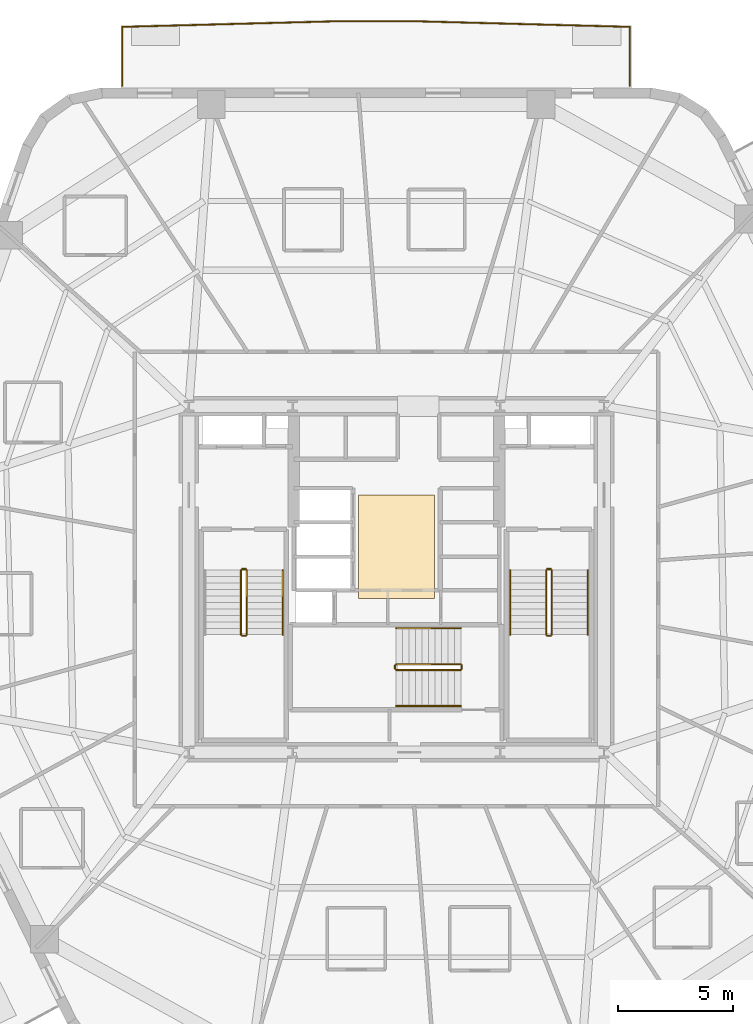
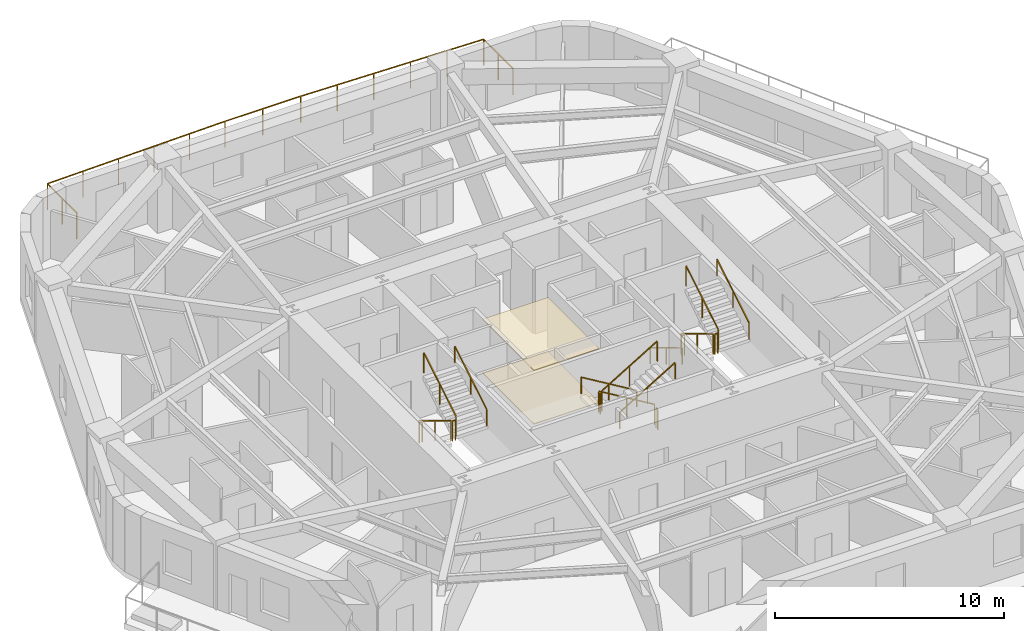
# One storey, part 9 of 10: 18 railings, 2 coverings.
"""IFC4 building model written with IfcOpenShell, lengths in metres."""

from ifc_helpers import new_model, si_unit, direction, frame, origin, origin_2d, place, context, subcontext, project, spatial, polyline, rectangle, outline, extrude, material, layer, layer_set, type_object, element, save


model = new_model("IFC4")

# Units and contexts
model_context = context("Model", 3, precision=1e-05, world=origin(), true_north=direction((0.0, 1.0)))
body_context = subcontext(model_context, "Body", "Model", "MODEL_VIEW")
ifc_project = project(units=[si_unit("LENGTHUNIT", "METRE"), si_unit("AREAUNIT", "SQUARE_METRE"), si_unit("VOLUMEUNIT", "CUBIC_METRE"), si_unit("PLANEANGLEUNIT", "RADIAN"), si_unit("MASSUNIT", "GRAM", prefix="KILO")], contexts=[model_context])

# Site, building, storey
site_placement = place(None, origin())
site = spatial("IfcSite", under=ifc_project, at=site_placement, CompositionType="ELEMENT")
building_placement = place(site_placement, origin())
building = spatial("IfcBuilding", under=site, at=building_placement, Name="Kilnhurst Terrace Hotel", CompositionType="ELEMENT")
storey_placement = place(building_placement, frame((0.0, 0.0, 98.800048828125)))
storey = spatial("IfcBuildingStorey", under=building, at=storey_placement, Name="L23", CompositionType="ELEMENT", Elevation=98.800048828125)

# Coverings
ifc_material_1 = material(Name="Perforated Micro-Acoustic Gypsum and Mineral Wool Ceiling")
ifc_layer_1 = layer(ifc_material_1, 0.050048828125, Name="Perforated Micro-Acoustic Gypsum and Mineral Wool Ceiling")
ifc_layer_set_1 = layer_set([ifc_layer_1], Name="Perforated Micro-Acoustic Gypsum and Mineral Wool Ceiling")
covering_type_1 = type_object("IfcCoveringType", Name="COV-CLG-AC60", PredefinedType="CEILING", material=ifc_layer_set_1)
covering_1_placement = place(storey_placement, frame((0.0, 0.0, 2.849853515625)))
element("IfcCovering", 1, at=covering_1_placement, inside=storey, type_object=covering_type_1, Name="L23 Lift Lobby Suspended Acoustic Ceiling", PredefinedType="CEILING", context=body_context, shape_type="SweptSolid", body=[
    extrude(outline(polyline([(-1.64990234375, -0.85009765625), (1.64990234375, -0.85009765625), (1.64990234375, 3.64990234375), (-1.64990234375, 3.64990234375), (-1.64990234375, -0.85009765625)])), origin(), (0.0, 0.0, 1.0), 0.050048828125),
])
ifc_material_2 = material(Name="Honed Texas Cream Limestone Tile Flooring", Category="masonry")
ifc_layer_2 = layer(ifc_material_2, 0.030029296875, Name="Honed Texas Cream Limestone Tile Flooring")
ifc_layer_set_2 = layer_set([ifc_layer_2], Name="Honed Texas Cream Limestone Tile Flooring")
covering_type_2 = type_object("IfcCoveringType", Name="COV-FLR-STN30", PredefinedType="FLOORING", material=ifc_layer_set_2)
covering_2_placement = place(storey_placement, origin())
element("IfcCovering", 2, at=covering_2_placement, inside=storey, type_object=covering_type_2, Name="L23 Lift Lobby Honed Limestone Flooring", PredefinedType="FLOORING", context=body_context, shape_type="SweptSolid", body=[
    extrude(outline(polyline([(-1.64990234375, -0.85009765625), (1.64990234375, -0.85009765625), (1.64990234375, 3.64990234375), (-1.64990234375, 3.64990234375), (-1.64990234375, -0.85009765625)])), origin(), (0.0, 0.0, 1.0), 0.030029296875),
])

# Railings
ifc_material_3 = material(Name="Laminated SentryGlas and Stainless Steel AISI 316L Balustrade", Category="steel")
ifc_layer_3 = layer(ifc_material_3, 0.070068359375, Name="Laminated SentryGlas and Stainless Steel AISI 316L Balustrade")
ifc_layer_set_3 = layer_set([ifc_layer_3], Name="Laminated SentryGlas and Stainless Steel AISI 316L Balustrade")
railing_type_1 = type_object("IfcRailingType", Name="RLG-BAL-1420", PredefinedType="BALUSTRADE", material=ifc_layer_set_3)
railing_1_placement = place(storey_placement, frame((-11.8837890625, 21.3798828125, 0.0)))
element("IfcRailing", 3, at=railing_1_placement, inside=storey, type_object=railing_type_1, Name="L23 Exterior Terrace Guardrail BAL-L1B.1", PredefinedType="BALUSTRADE", context=body_context, shape_type="SweptSolid", body=[
    extrude(rectangle(XDim=0.048095703125, YDim=0.048095703125, at=origin_2d()), frame((0.0, 0.0, 1.39599609375), z_axis=(0.0, 1.0, 0.0), x_axis=(-1.0, 0.0, 0.0)), (0.0, 0.0, 1.0), 2.561767578125),
    extrude(rectangle(XDim=0.048095703125, YDim=0.048095703125, at=origin_2d()), frame((0.0, 2.561767578125, 1.39599609375), z_axis=(0.999657105501, 0.026185328367, 0.0), x_axis=(-0.026185328367, 0.999657105501, 0.0)), (0.0, 0.0, 1.0), 9.099853515625),
    extrude(rectangle(XDim=0.048095703125, YDim=0.048095703125, at=origin_2d()), frame((9.0966796875, 2.800048828125, 1.39599609375), z_axis=(1.0, 0.0, 0.0), x_axis=(0.0, 1.0, 0.0)), (0.0, 0.0, 1.0), 3.8134765625),
    extrude(rectangle(XDim=0.048095703125, YDim=0.048095703125, at=origin_2d()), frame((12.91015625, 2.800048828125, 1.39599609375), z_axis=(0.999657105501, -0.026185328367, 0.0), x_axis=(0.026185328367, 0.999657105501, 0.0)), (0.0, 0.0, 1.0), 9.099853515625),
    extrude(rectangle(XDim=0.048095703125, YDim=0.048095703125, at=origin_2d()), frame((22.0068359375, 2.561767578125, 1.39599609375), z_axis=(0.0, -1.0, 0.0), x_axis=(1.0, 0.0, 0.0)), (0.0, 0.0, 1.0), 2.561767578125),
    extrude(rectangle(XDim=0.0419921875, YDim=0.0419921875, at=origin_2d()), origin(), (0.0, 0.0, 1.0), 1.371826171875),
    extrude(rectangle(XDim=0.0419921875, YDim=0.0419921875, at=origin_2d()), frame((0.0, 1.28076171875, 0.0)), (0.0, 0.0, 1.0), 1.371826171875),
    extrude(rectangle(XDim=0.0419921875, YDim=0.0419921875, at=origin_2d()), frame((0.0, 2.561767578125, 0.0)), (0.0, 0.0, 1.0), 1.371826171875),
    extrude(rectangle(XDim=0.0419921875, YDim=0.0419921875, at=origin_2d()), frame((1.8193359375, 2.609375, 0.0)), (0.0, 0.0, 1.0), 1.371826171875),
    extrude(rectangle(XDim=0.0419921875, YDim=0.0419921875, at=origin_2d()), frame((3.638671875, 2.656982421875, 0.0)), (0.0, 0.0, 1.0), 1.371826171875),
    extrude(rectangle(XDim=0.0419921875, YDim=0.0419921875, at=origin_2d()), frame((5.4580078125, 2.704833984375, 0.0)), (0.0, 0.0, 1.0), 1.371826171875),
    extrude(rectangle(XDim=0.0419921875, YDim=0.0419921875, at=origin_2d()), frame((7.27734375, 2.75244140625, 0.0)), (0.0, 0.0, 1.0), 1.371826171875),
    extrude(rectangle(XDim=0.0419921875, YDim=0.0419921875, at=origin_2d()), frame((9.0966796875, 2.800048828125, 0.0)), (0.0, 0.0, 1.0), 1.371826171875),
    extrude(rectangle(XDim=0.0419921875, YDim=0.0419921875, at=origin_2d()), frame((11.00341796875, 2.800048828125, 0.0)), (0.0, 0.0, 1.0), 1.371826171875),
    extrude(rectangle(XDim=0.0419921875, YDim=0.0419921875, at=origin_2d()), frame((12.91015625, 2.800048828125, 0.0)), (0.0, 0.0, 1.0), 1.371826171875),
    extrude(rectangle(XDim=0.0419921875, YDim=0.0419921875, at=origin_2d()), frame((14.7294921875, 2.75244140625, 0.0)), (0.0, 0.0, 1.0), 1.371826171875),
    extrude(rectangle(XDim=0.0419921875, YDim=0.0419921875, at=origin_2d()), frame((16.548828125, 2.704833984375, 0.0)), (0.0, 0.0, 1.0), 1.371826171875),
    extrude(rectangle(XDim=0.0419921875, YDim=0.0419921875, at=origin_2d()), frame((18.3681640625, 2.656982421875, 0.0)), (0.0, 0.0, 1.0), 1.371826171875),
    extrude(rectangle(XDim=0.0419921875, YDim=0.0419921875, at=origin_2d()), frame((20.1875, 2.609375, 0.0)), (0.0, 0.0, 1.0), 1.371826171875),
    extrude(rectangle(XDim=0.0419921875, YDim=0.0419921875, at=origin_2d()), frame((22.0068359375, 2.561767578125, 0.0)), (0.0, 0.0, 1.0), 1.371826171875),
    extrude(rectangle(XDim=0.0419921875, YDim=0.0419921875, at=origin_2d()), frame((22.0068359375, 1.28076171875, 0.0)), (0.0, 0.0, 1.0), 1.371826171875),
    extrude(rectangle(XDim=0.0419921875, YDim=0.0419921875, at=origin_2d()), frame((22.0068359375, 0.0, 0.0)), (0.0, 0.0, 1.0), 1.371826171875),
])
ifc_material_4 = material(Name="Powder-Coated Steel ASTM A500 Grade B", Category="steel")
ifc_layer_4 = layer(ifc_material_4, 0.050048828125, Name="Powder-Coated Steel ASTM A500 Grade B")
ifc_layer_set_4 = layer_set([ifc_layer_4], Name="Powder-Coated Steel ASTM A500 Grade B")
railing_type_2 = type_object("IfcRailingType", Name="RLG-ST-GRD-1100", PredefinedType="GUARDRAIL", material=ifc_layer_set_4)
railing_2_placement = place(storey_placement, frame((-6.739990234375, 0.389892578125, 0.168212890625)))
element("IfcRailing", 4, at=railing_2_placement, inside=storey, type_object=railing_type_2, Name="L23 ST-1 stair guard 1", PredefinedType="GUARDRAIL", context=body_context, shape_type="SweptSolid", body=[
    extrude(rectangle(XDim=0.048095703125, YDim=0.048095703125, at=origin_2d()), frame((0.0, 0.0, 1.076171875), z_axis=(0.0, -0.857255387014, 0.514891446264), x_axis=(1.0, 0.0, 0.0)), (0.0, 0.0, 1.0), 3.26611328125),
    extrude(rectangle(XDim=0.0419921875, YDim=0.0419921875, at=origin_2d()), origin(), (0.0, 0.0, 1.0), 1.052001953125),
    extrude(rectangle(XDim=0.0419921875, YDim=0.0419921875, at=origin_2d()), frame((0.0, -1.39990234375, 0.8408203125)), (0.0, 0.0, 1.0), 1.052001953125),
    extrude(rectangle(XDim=0.0419921875, YDim=0.0419921875, at=origin_2d()), frame((0.0, -2.7998046875, 1.681640625)), (0.0, 0.0, 1.0), 1.052001953125),
])
railing_3_placement = place(storey_placement, frame((-6.68994140625, -2.4599609375, 1.849853515625)))
element("IfcRailing", 5, at=railing_3_placement, inside=storey, type_object=railing_type_2, Name="L23 ST-1 stair guard 2", PredefinedType="GUARDRAIL", context=body_context, shape_type="SweptSolid", body=[
    extrude(rectangle(XDim=0.048095703125, YDim=0.048095703125, at=origin_2d()), frame((0.0, 0.0, 1.076171875), z_axis=(1.0, 0.0, 0.0), x_axis=(0.0, 1.0, 0.0)), (0.0, 0.0, 1.0), 0.14990234375),
    extrude(rectangle(XDim=0.0419921875, YDim=0.0419921875, at=origin_2d()), origin(), (0.0, 0.0, 1.0), 1.052001953125),
    extrude(rectangle(XDim=0.0419921875, YDim=0.0419921875, at=origin_2d()), frame((0.14990234375, 0.0, 0.0)), (0.0, 0.0, 1.0), 1.052001953125),
])
railing_4_placement = place(storey_placement, frame((-6.489990234375, -2.409912109375, 2.01806640625)))
element("IfcRailing", 6, at=railing_4_placement, inside=storey, type_object=railing_type_2, Name="L23 ST-1 stair guard 3", PredefinedType="GUARDRAIL", context=body_context, shape_type="SweptSolid", body=[
    extrude(rectangle(XDim=0.048095703125, YDim=0.048095703125, at=origin_2d()), frame((0.0, 0.0, 1.076171875), z_axis=(0.0, 0.857222391501, 0.514946377315), x_axis=(-1.0, 0.0, 0.0)), (0.0, 0.0, 1.0), 3.26611328125),
    extrude(rectangle(XDim=0.0419921875, YDim=0.0419921875, at=origin_2d()), origin(), (0.0, 0.0, 1.0), 1.052001953125),
    extrude(rectangle(XDim=0.0419921875, YDim=0.0419921875, at=origin_2d()), frame((0.0, 1.39990234375, 0.8408203125)), (0.0, 0.0, 1.0), 1.052001953125),
    extrude(rectangle(XDim=0.0419921875, YDim=0.0419921875, at=origin_2d()), frame((0.0, 2.7998046875, 1.681884765625)), (0.0, 0.0, 1.0), 1.052001953125),
])
railing_5_placement = place(storey_placement, frame((-6.68994140625, 0.43994140625, 0.0)))
element("IfcRailing", 7, at=railing_5_placement, inside=storey, type_object=railing_type_2, Name="L23 ST-1 stair guard 4", PredefinedType="GUARDRAIL", context=body_context, shape_type="SweptSolid", body=[
    extrude(rectangle(XDim=0.048095703125, YDim=0.048095703125, at=origin_2d()), frame((0.0, 0.0, 1.076171875), z_axis=(1.0, 0.0, 0.0), x_axis=(0.0, 1.0, 0.0)), (0.0, 0.0, 1.0), 0.14990234375),
    extrude(rectangle(XDim=0.0419921875, YDim=0.0419921875, at=origin_2d()), origin(), (0.0, 0.0, 1.0), 1.052001953125),
    extrude(rectangle(XDim=0.0419921875, YDim=0.0419921875, at=origin_2d()), frame((0.14990234375, 0.0, 0.0)), (0.0, 0.0, 1.0), 1.052001953125),
])
railing_6_placement = place(storey_placement, frame((6.489990234375, 0.389892578125, 0.168212890625)))
element("IfcRailing", 8, at=railing_6_placement, inside=storey, type_object=railing_type_2, Name="L23 ST-2 stair guard 1", PredefinedType="GUARDRAIL", context=body_context, shape_type="SweptSolid", body=[
    extrude(rectangle(XDim=0.048095703125, YDim=0.048095703125, at=origin_2d()), frame((0.0, 0.0, 1.076171875), z_axis=(0.0, -0.857255387014, 0.514891446264), x_axis=(1.0, 0.0, 0.0)), (0.0, 0.0, 1.0), 3.26611328125),
    extrude(rectangle(XDim=0.0419921875, YDim=0.0419921875, at=origin_2d()), origin(), (0.0, 0.0, 1.0), 1.052001953125),
    extrude(rectangle(XDim=0.0419921875, YDim=0.0419921875, at=origin_2d()), frame((0.0, -1.39990234375, 0.8408203125)), (0.0, 0.0, 1.0), 1.052001953125),
    extrude(rectangle(XDim=0.0419921875, YDim=0.0419921875, at=origin_2d()), frame((0.0, -2.7998046875, 1.681640625)), (0.0, 0.0, 1.0), 1.052001953125),
])
railing_7_placement = place(storey_placement, frame((6.5400390625, -2.4599609375, 1.849853515625)))
element("IfcRailing", 9, at=railing_7_placement, inside=storey, type_object=railing_type_2, Name="L23 ST-2 stair guard 2", PredefinedType="GUARDRAIL", context=body_context, shape_type="SweptSolid", body=[
    extrude(rectangle(XDim=0.048095703125, YDim=0.048095703125, at=origin_2d()), frame((0.0, 0.0, 1.076171875), z_axis=(1.0, 0.0, 0.0), x_axis=(0.0, 1.0, 0.0)), (0.0, 0.0, 1.0), 0.14990234375),
    extrude(rectangle(XDim=0.0419921875, YDim=0.0419921875, at=origin_2d()), origin(), (0.0, 0.0, 1.0), 1.052001953125),
    extrude(rectangle(XDim=0.0419921875, YDim=0.0419921875, at=origin_2d()), frame((0.14990234375, 0.0, 0.0)), (0.0, 0.0, 1.0), 1.052001953125),
])
railing_8_placement = place(storey_placement, frame((6.739990234375, -2.409912109375, 2.01806640625)))
element("IfcRailing", 10, at=railing_8_placement, inside=storey, type_object=railing_type_2, Name="L23 ST-2 stair guard 3", PredefinedType="GUARDRAIL", context=body_context, shape_type="SweptSolid", body=[
    extrude(rectangle(XDim=0.048095703125, YDim=0.048095703125, at=origin_2d()), frame((0.0, 0.0, 1.076171875), z_axis=(0.0, 0.857222391501, 0.514946377315), x_axis=(-1.0, 0.0, 0.0)), (0.0, 0.0, 1.0), 3.26611328125),
    extrude(rectangle(XDim=0.0419921875, YDim=0.0419921875, at=origin_2d()), origin(), (0.0, 0.0, 1.0), 1.052001953125),
    extrude(rectangle(XDim=0.0419921875, YDim=0.0419921875, at=origin_2d()), frame((0.0, 1.39990234375, 0.8408203125)), (0.0, 0.0, 1.0), 1.052001953125),
    extrude(rectangle(XDim=0.0419921875, YDim=0.0419921875, at=origin_2d()), frame((0.0, 2.7998046875, 1.681884765625)), (0.0, 0.0, 1.0), 1.052001953125),
])
railing_9_placement = place(storey_placement, frame((6.5400390625, 0.43994140625, 0.0)))
element("IfcRailing", 11, at=railing_9_placement, inside=storey, type_object=railing_type_2, Name="L23 ST-2 stair guard 4", PredefinedType="GUARDRAIL", context=body_context, shape_type="SweptSolid", body=[
    extrude(rectangle(XDim=0.048095703125, YDim=0.048095703125, at=origin_2d()), frame((0.0, 0.0, 1.076171875), z_axis=(1.0, 0.0, 0.0), x_axis=(0.0, 1.0, 0.0)), (0.0, 0.0, 1.0), 0.14990234375),
    extrude(rectangle(XDim=0.0419921875, YDim=0.0419921875, at=origin_2d()), origin(), (0.0, 0.0, 1.0), 1.052001953125),
    extrude(rectangle(XDim=0.0419921875, YDim=0.0419921875, at=origin_2d()), frame((0.14990234375, 0.0, 0.0)), (0.0, 0.0, 1.0), 1.052001953125),
])
railing_10_placement = place(storey_placement, frame((2.7900390625, -3.68994140625, 0.168212890625)))
element("IfcRailing", 12, at=railing_10_placement, inside=storey, type_object=railing_type_2, Name="L23 ST-3 stair guard 1", PredefinedType="GUARDRAIL", context=body_context, shape_type="SweptSolid", body=[
    extrude(rectangle(XDim=0.048095703125, YDim=0.048095703125, at=origin_2d()), frame((0.0, 0.0, 1.076171875), z_axis=(-0.857275202839, 0.0, 0.514858452973), x_axis=(0.0, -1.0, 0.0)), (0.0, 0.0, 1.0), 3.26611328125),
    extrude(rectangle(XDim=0.0419921875, YDim=0.0419921875, at=origin_2d()), origin(), (0.0, 0.0, 1.0), 1.052001953125),
    extrude(rectangle(XDim=0.0419921875, YDim=0.0419921875, at=origin_2d()), frame((-1.39990234375, 0.0, 0.8408203125)), (0.0, 0.0, 1.0), 1.052001953125),
    extrude(rectangle(XDim=0.0419921875, YDim=0.0419921875, at=origin_2d()), frame((-2.800048828125, 0.0, 1.681640625)), (0.0, 0.0, 1.0), 1.052001953125),
])
railing_11_placement = place(storey_placement, frame((-0.06005859375, -3.739990234375, 1.849853515625)))
element("IfcRailing", 13, at=railing_11_placement, inside=storey, type_object=railing_type_2, Name="L23 ST-3 stair guard 2", PredefinedType="GUARDRAIL", context=body_context, shape_type="SweptSolid", body=[
    extrude(rectangle(XDim=0.048095703125, YDim=0.048095703125, at=origin_2d()), frame((0.0, 0.0, 1.076171875), z_axis=(0.0, -1.0, 0.0), x_axis=(1.0, 0.0, 0.0)), (0.0, 0.0, 1.0), 0.14990234375),
    extrude(rectangle(XDim=0.0419921875, YDim=0.0419921875, at=origin_2d()), origin(), (0.0, 0.0, 1.0), 1.052001953125),
    extrude(rectangle(XDim=0.0419921875, YDim=0.0419921875, at=origin_2d()), frame((0.0, -0.14990234375, 0.0)), (0.0, 0.0, 1.0), 1.052001953125),
])
railing_12_placement = place(storey_placement, frame((-0.010009765625, -3.93994140625, 2.01806640625)))
element("IfcRailing", 14, at=railing_12_placement, inside=storey, type_object=railing_type_2, Name="L23 ST-3 stair guard 3", PredefinedType="GUARDRAIL", context=body_context, shape_type="SweptSolid", body=[
    extrude(rectangle(XDim=0.048095703125, YDim=0.048095703125, at=origin_2d()), frame((0.0, 0.0, 1.076171875), z_axis=(0.857242210791, 0.0, 0.514913383045), x_axis=(0.0, 1.0, 0.0)), (0.0, 0.0, 1.0), 3.266357421875),
    extrude(rectangle(XDim=0.0419921875, YDim=0.0419921875, at=origin_2d()), origin(), (0.0, 0.0, 1.0), 1.052001953125),
    extrude(rectangle(XDim=0.0419921875, YDim=0.0419921875, at=origin_2d()), frame((1.39990234375, 0.0, 0.8408203125)), (0.0, 0.0, 1.0), 1.052001953125),
    extrude(rectangle(XDim=0.0419921875, YDim=0.0419921875, at=origin_2d()), frame((2.800048828125, 0.0, 1.681884765625)), (0.0, 0.0, 1.0), 1.052001953125),
])
railing_13_placement = place(storey_placement, frame((2.840087890625, -3.739990234375, 0.0)))
element("IfcRailing", 15, at=railing_13_placement, inside=storey, type_object=railing_type_2, Name="L23 ST-3 stair guard 4", PredefinedType="GUARDRAIL", context=body_context, shape_type="SweptSolid", body=[
    extrude(rectangle(XDim=0.048095703125, YDim=0.048095703125, at=origin_2d()), frame((0.0, 0.0, 1.076171875), z_axis=(0.0, -1.0, 0.0), x_axis=(1.0, 0.0, 0.0)), (0.0, 0.0, 1.0), 0.14990234375),
    extrude(rectangle(XDim=0.0419921875, YDim=0.0419921875, at=origin_2d()), origin(), (0.0, 0.0, 1.0), 1.052001953125),
    extrude(rectangle(XDim=0.0419921875, YDim=0.0419921875, at=origin_2d()), frame((0.0, -0.14990234375, 0.0)), (0.0, 0.0, 1.0), 1.052001953125),
])
ifc_material_5 = material(Name="Brushed Stainless Steel AISI 304", Category="steel")
ifc_layer_5 = layer(ifc_material_5, 0.048095703125, Name="Brushed Stainless Steel AISI 304")
ifc_layer_set_5 = layer_set([ifc_layer_5], Name="Brushed Stainless Steel AISI 304")
railing_type_3 = type_object("IfcRailingType", Name="RLG-ST-HRL-900", PredefinedType="HANDRAIL", material=ifc_layer_set_5)
railing_14_placement = place(storey_placement, frame((-4.929931640625, -2.409912109375, 2.01806640625)))
element("IfcRailing", 16, at=railing_14_placement, inside=storey, type_object=railing_type_3, Name="L23 ST-1 stair handrail 2", PredefinedType="HANDRAIL", context=body_context, shape_type="SweptSolid", body=[
    extrude(rectangle(XDim=0.048095703125, YDim=0.048095703125, at=origin_2d()), frame((0.0, 0.0, 0.8759765625), z_axis=(0.0, 0.857222391501, 0.514946377315), x_axis=(-1.0, 0.0, 0.0)), (0.0, 0.0, 1.0), 3.26611328125),
    extrude(rectangle(XDim=0.0419921875, YDim=0.0419921875, at=origin_2d()), origin(), (0.0, 0.0, 1.0), 0.851806640625),
    extrude(rectangle(XDim=0.0419921875, YDim=0.0419921875, at=origin_2d()), frame((0.0, 1.39990234375, 0.8408203125)), (0.0, 0.0, 1.0), 0.851806640625),
    extrude(rectangle(XDim=0.0419921875, YDim=0.0419921875, at=origin_2d()), frame((0.0, 2.7998046875, 1.681884765625)), (0.0, 0.0, 1.0), 0.851806640625),
])
railing_15_placement = place(storey_placement, frame((4.929931640625, 0.389892578125, 0.168212890625)))
element("IfcRailing", 17, at=railing_15_placement, inside=storey, type_object=railing_type_3, Name="L23 ST-2 stair handrail 1", PredefinedType="HANDRAIL", context=body_context, shape_type="SweptSolid", body=[
    extrude(rectangle(XDim=0.048095703125, YDim=0.048095703125, at=origin_2d()), frame((0.0, 0.0, 0.8759765625), z_axis=(0.0, -0.857255387014, 0.514891446264), x_axis=(1.0, 0.0, 0.0)), (0.0, 0.0, 1.0), 3.26611328125),
    extrude(rectangle(XDim=0.0419921875, YDim=0.0419921875, at=origin_2d()), origin(), (0.0, 0.0, 1.0), 0.851806640625),
    extrude(rectangle(XDim=0.0419921875, YDim=0.0419921875, at=origin_2d()), frame((0.0, -1.39990234375, 0.8408203125)), (0.0, 0.0, 1.0), 0.851806640625),
    extrude(rectangle(XDim=0.0419921875, YDim=0.0419921875, at=origin_2d()), frame((0.0, -2.7998046875, 1.681640625)), (0.0, 0.0, 1.0), 0.851806640625),
])
railing_16_placement = place(storey_placement, frame((8.300048828125, -2.409912109375, 2.01806640625)))
element("IfcRailing", 18, at=railing_16_placement, inside=storey, type_object=railing_type_3, Name="L23 ST-2 stair handrail 2", PredefinedType="HANDRAIL", context=body_context, shape_type="SweptSolid", body=[
    extrude(rectangle(XDim=0.048095703125, YDim=0.048095703125, at=origin_2d()), frame((0.0, 0.0, 0.8759765625), z_axis=(0.0, 0.857222391501, 0.514946377315), x_axis=(-1.0, 0.0, 0.0)), (0.0, 0.0, 1.0), 3.26611328125),
    extrude(rectangle(XDim=0.0419921875, YDim=0.0419921875, at=origin_2d()), origin(), (0.0, 0.0, 1.0), 0.851806640625),
    extrude(rectangle(XDim=0.0419921875, YDim=0.0419921875, at=origin_2d()), frame((0.0, 1.39990234375, 0.8408203125)), (0.0, 0.0, 1.0), 0.851806640625),
    extrude(rectangle(XDim=0.0419921875, YDim=0.0419921875, at=origin_2d()), frame((0.0, 2.7998046875, 1.681884765625)), (0.0, 0.0, 1.0), 0.851806640625),
])
railing_17_placement = place(storey_placement, frame((2.7900390625, -2.1298828125, 0.168212890625)))
element("IfcRailing", 19, at=railing_17_placement, inside=storey, type_object=railing_type_3, Name="L23 ST-3 stair handrail 1", PredefinedType="HANDRAIL", context=body_context, shape_type="SweptSolid", body=[
    extrude(rectangle(XDim=0.048095703125, YDim=0.048095703125, at=origin_2d()), frame((0.0, 0.0, 0.8759765625), z_axis=(-0.857275202839, 0.0, 0.514858452973), x_axis=(0.0, -1.0, 0.0)), (0.0, 0.0, 1.0), 3.26611328125),
    extrude(rectangle(XDim=0.0419921875, YDim=0.0419921875, at=origin_2d()), origin(), (0.0, 0.0, 1.0), 0.851806640625),
    extrude(rectangle(XDim=0.0419921875, YDim=0.0419921875, at=origin_2d()), frame((-1.39990234375, 0.0, 0.8408203125)), (0.0, 0.0, 1.0), 0.851806640625),
    extrude(rectangle(XDim=0.0419921875, YDim=0.0419921875, at=origin_2d()), frame((-2.800048828125, 0.0, 1.681640625)), (0.0, 0.0, 1.0), 0.851806640625),
])
railing_18_placement = place(storey_placement, frame((-0.010009765625, -5.5, 2.01806640625)))
element("IfcRailing", 20, at=railing_18_placement, inside=storey, type_object=railing_type_3, Name="L23 ST-3 stair handrail 2", PredefinedType="HANDRAIL", context=body_context, shape_type="SweptSolid", body=[
    extrude(rectangle(XDim=0.048095703125, YDim=0.048095703125, at=origin_2d()), frame((0.0, 0.0, 0.8759765625), z_axis=(0.857242210791, 0.0, 0.514913383045), x_axis=(0.0, 1.0, 0.0)), (0.0, 0.0, 1.0), 3.266357421875),
    extrude(rectangle(XDim=0.0419921875, YDim=0.0419921875, at=origin_2d()), origin(), (0.0, 0.0, 1.0), 0.851806640625),
    extrude(rectangle(XDim=0.0419921875, YDim=0.0419921875, at=origin_2d()), frame((1.39990234375, 0.0, 0.8408203125)), (0.0, 0.0, 1.0), 0.851806640625),
    extrude(rectangle(XDim=0.0419921875, YDim=0.0419921875, at=origin_2d()), frame((2.800048828125, 0.0, 1.681884765625)), (0.0, 0.0, 1.0), 0.851806640625),
])

save(model, "model.ifc")
